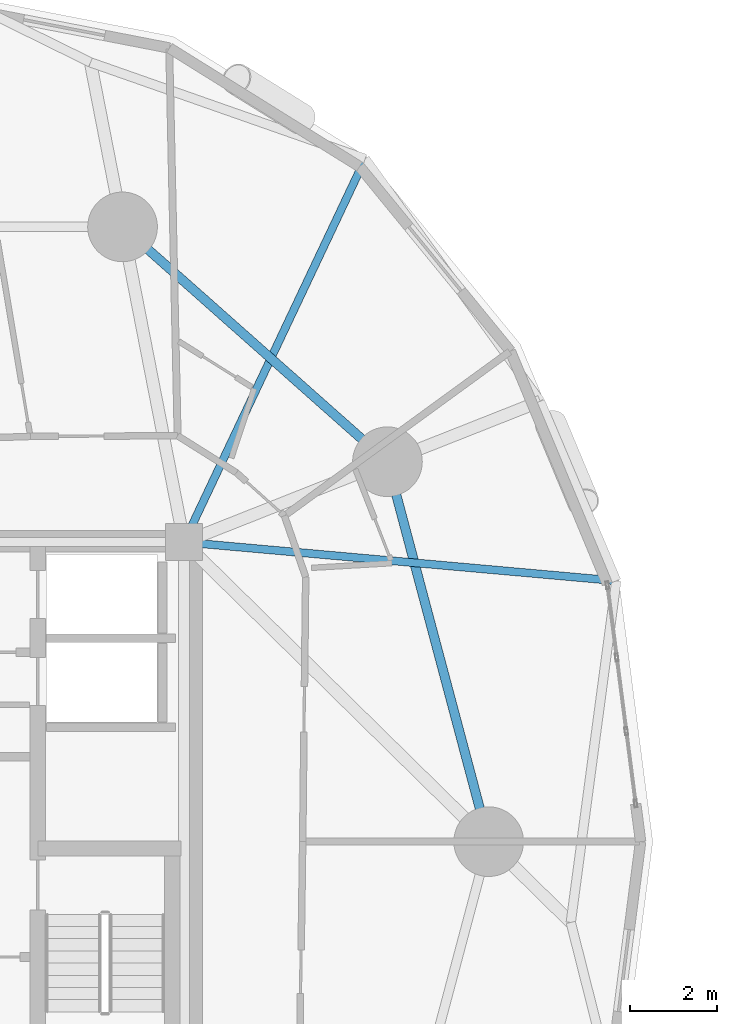
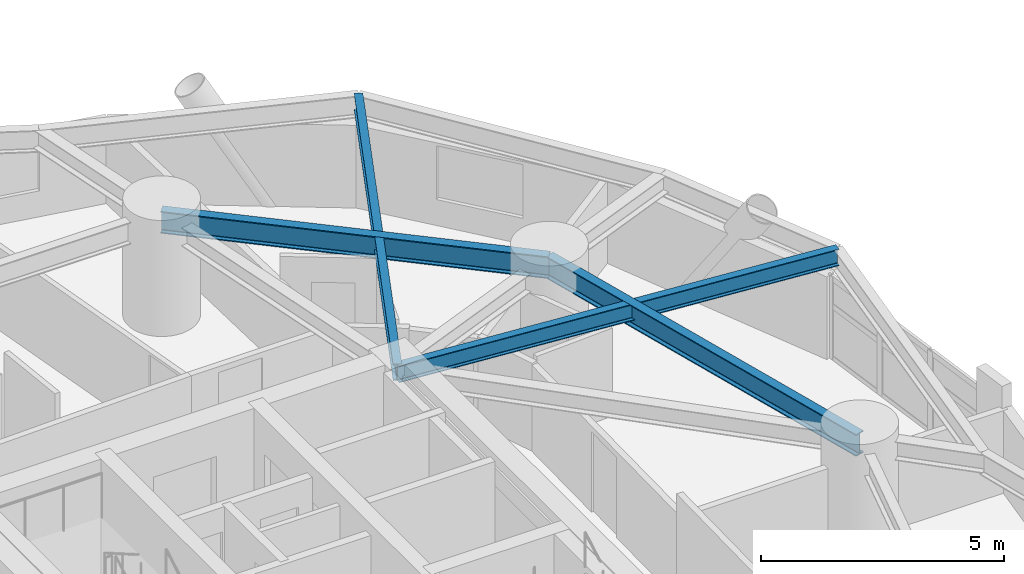
# One storey, part 3 of 18: 4 beams.
"""IFC4 building model written with IfcOpenShell, lengths in metres."""

from ifc_helpers import new_model, si_unit, direction, frame, origin, origin_2d, place, context, subcontext, project, spatial, i_section, extrude, material, material_profile, profile_set, type_object, element, save


model = new_model("IFC4")

# Units and contexts
model_context = context("Model", 3, precision=1e-05, world=origin(), true_north=direction((0.0, 1.0)))
body_context = subcontext(model_context, "Body", "Model", "MODEL_VIEW")
ifc_project = project(units=[si_unit("LENGTHUNIT", "METRE"), si_unit("AREAUNIT", "SQUARE_METRE"), si_unit("VOLUMEUNIT", "CUBIC_METRE"), si_unit("PLANEANGLEUNIT", "RADIAN"), si_unit("MASSUNIT", "GRAM", prefix="KILO")], contexts=[model_context])

# Site, building, storey
site_placement = place(None, origin())
site = spatial("IfcSite", under=ifc_project, at=site_placement, CompositionType="ELEMENT")
building_placement = place(site_placement, origin())
building = spatial("IfcBuilding", under=site, at=building_placement, Name="Cununo Teusaquillo Station Towers", CompositionType="ELEMENT")
storey_placement = place(building_placement, frame((0.0, 0.0, 51.10009765625)))
storey = spatial("IfcBuildingStorey", under=building, at=storey_placement, Name="L15", CompositionType="ELEMENT", Elevation=51.10009765625)

# Beams
ifc_material_1 = material(Name="Steel ASTM A572 Grade 50", Category="steel")
ifc_material_profile_1 = material_profile(ifc_material_1, i_section(OverallWidth=0.180908203125, OverallDepth=0.4169921875, WebThickness=0.010986328125, FlangeThickness=0.018310546875, FilletRadius=0.012939453125, at=origin_2d()), Name="W16X57")
ifc_profile_set_1 = profile_set([ifc_material_profile_1], Name="Steel ASTM A572 Grade 50")
beam_type_1 = type_object("IfcBeamType", Name="BM-JOIST-1", PredefinedType="JOIST", material=ifc_profile_set_1)
beam_1_placement = place(storey_placement, frame((21.675048828125, 31.3798828125, 2.44140625), z_axis=(0.996024214913, -0.089082901314, 0.0), x_axis=(0.089082901314, 0.996024214913, 0.0)))
element("IfcBeam", 1, at=beam_1_placement, inside=storey, type_object=beam_type_1, Name="L15 Tower A Radial Spandrel Joist V01", PredefinedType="JOIST", context=body_context, shape_type="SweptSolid", body=[
    extrude(i_section(OverallWidth=0.180908203125, OverallDepth=0.4169921875, WebThickness=0.010986328125, FlangeThickness=0.018310546875, FilletRadius=0.012939453125, at=origin_2d()), origin(), (0.0, 0.0, 1.0), 9.97021484375),
])
beam_2_placement = place(storey_placement, frame((21.675048828125, 31.3798828125, 2.44140625), z_axis=(0.427160580437, 0.904175778552, 0.0), x_axis=(-0.904175778552, 0.427160580437, 0.0)))
element("IfcBeam", 2, at=beam_2_placement, inside=storey, type_object=beam_type_1, Name="L15 Tower A Radial Spandrel Joist V03", PredefinedType="JOIST", context=body_context, shape_type="SweptSolid", body=[
    extrude(i_section(OverallWidth=0.180908203125, OverallDepth=0.4169921875, WebThickness=0.010986328125, FlangeThickness=0.018310546875, FilletRadius=0.012939453125, at=origin_2d()), origin(), (0.0, 0.0, 1.0), 9.740234375),
])
ifc_material_2 = material(Name="Steel ASTM A572 Grade 50", Category="steel")
ifc_material_profile_2 = material_profile(ifc_material_2, i_section(OverallWidth=0.214111328125, OverallDepth=0.549072265625, WebThickness=0.0146484375, FlangeThickness=0.023681640625, FilletRadius=0.014892578125, at=origin_2d()), Name="W21X93")
ifc_profile_set_2 = profile_set([ifc_material_profile_2], Name="Steel ASTM A572 Grade 50")
beam_type_2 = type_object("IfcBeamType", Name="BM-RING-Z1", PredefinedType="SPANDREL", material=ifc_profile_set_2)
beam_3_placement = place(storey_placement, frame((28.672119140625, 24.5, 2.37548828125), z_axis=(-0.257363196347, 0.966314744359, 0.0), x_axis=(-0.966314744359, -0.257363196347, 0.0)))
element("IfcBeam", 3, at=beam_3_placement, inside=storey, type_object=beam_type_2, Name="L15 Tower A Structural Column Ring Girder 01", PredefinedType="SPANDREL", context=body_context, shape_type="SweptSolid", body=[
    extrude(i_section(OverallWidth=0.214111328125, OverallDepth=0.549072265625, WebThickness=0.0146484375, FlangeThickness=0.023681640625, FilletRadius=0.014892578125, at=origin_2d()), origin(), (0.0, 0.0, 1.0), 9.03271484375),
])
beam_4_placement = place(storey_placement, frame((26.347412109375, 33.228515625, 2.37548828125), z_axis=(-0.74832120039, 0.66333655187, 0.0), x_axis=(-0.66333655187, -0.74832120039, 0.0)))
element("IfcBeam", 4, at=beam_4_placement, inside=storey, type_object=beam_type_2, Name="L15 Tower A Structural Column Ring Girder 02", PredefinedType="SPANDREL", context=body_context, shape_type="SweptSolid", body=[
    extrude(i_section(OverallWidth=0.214111328125, OverallDepth=0.549072265625, WebThickness=0.0146484375, FlangeThickness=0.023681640625, FilletRadius=0.014892578125, at=origin_2d()), origin(), (0.0, 0.0, 1.0), 8.1328125),
])

save(model, "model.ifc")
